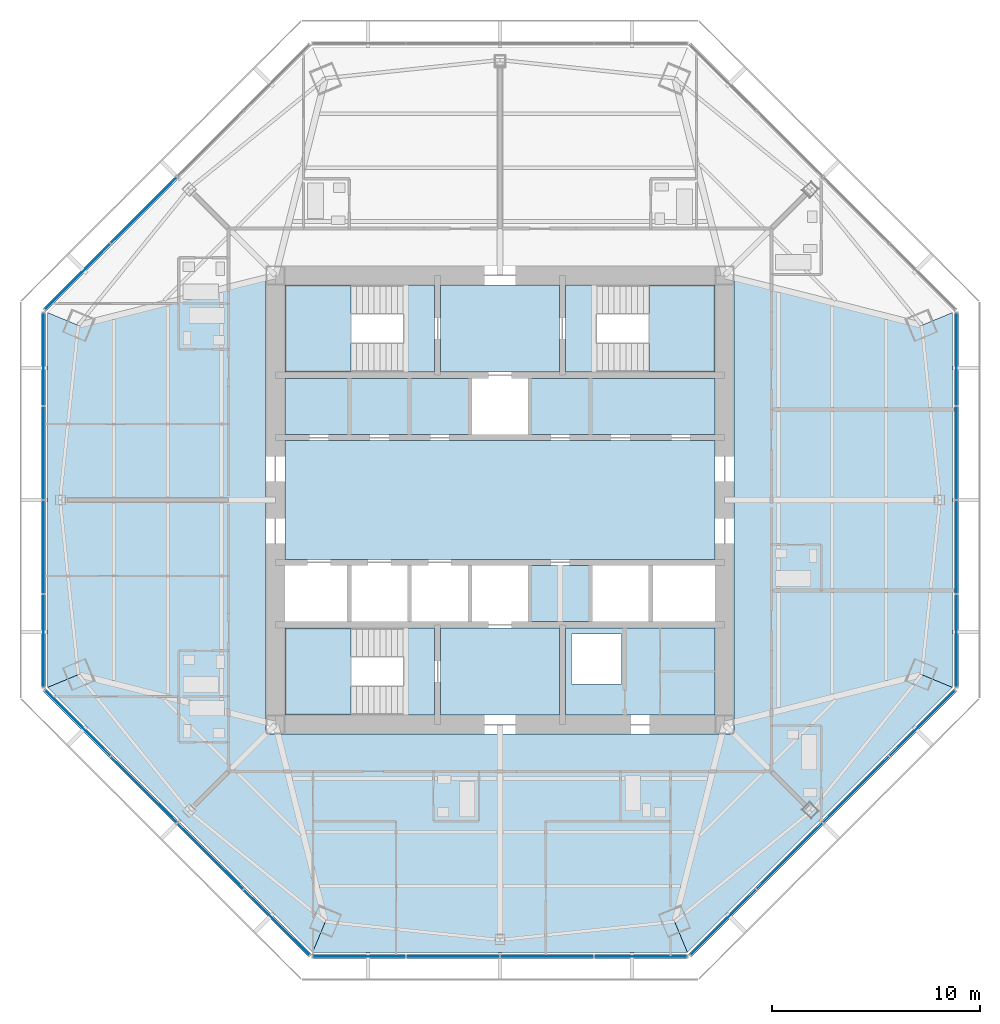
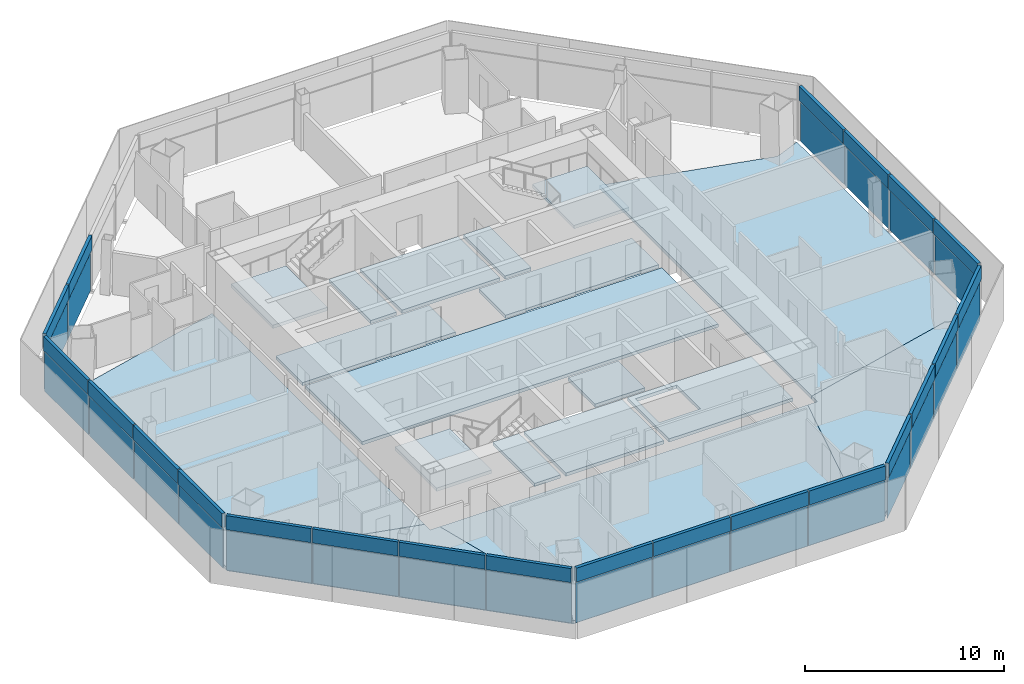
# One storey, part 7 of 15: 44 plates, 18 slabs, 9 elements without a shape of their own.
"""IFC4 building model written with IfcOpenShell, lengths in metres."""

from ifc_helpers import new_model, si_unit, direction, frame, origin, origin_2d, place, context, subcontext, project, spatial, polyline, rectangle, outline, extrude, source, transform, mapped, material, layer, layer_set, type_object, type_shapes, element, aggregate, save


model = new_model("IFC4")

# Units and contexts
model_context = context("Model", 3, precision=1e-05, world=origin(), true_north=direction((0.0, 1.0)))
body_context = subcontext(model_context, "Body", "Model", "MODEL_VIEW")
ifc_project = project(units=[si_unit("LENGTHUNIT", "METRE"), si_unit("AREAUNIT", "SQUARE_METRE"), si_unit("VOLUMEUNIT", "CUBIC_METRE"), si_unit("PLANEANGLEUNIT", "RADIAN"), si_unit("MASSUNIT", "GRAM", prefix="KILO")], contexts=[model_context])

# Site, building, storey
site_placement = place(None, origin())
site = spatial("IfcSite", under=ifc_project, at=site_placement, CompositionType="ELEMENT")
building_placement = place(site_placement, origin())
building = spatial("IfcBuilding", under=site, at=building_placement, Name="Mashrafa Tower", CompositionType="ELEMENT")
storey_placement = place(building_placement, frame((0.0, 0.0, 214.199951171875)))
storey = spatial("IfcBuildingStorey", under=building, at=storey_placement, Name="L49", CompositionType="ELEMENT", Elevation=214.199951171875)

# Slabs
ifc_material_1 = material(Name="Concrete C35/45", Category="concrete")
ifc_layer_1 = layer(ifc_material_1, 0.199951171875)
ifc_layer_set_1 = layer_set([ifc_layer_1], Name="Floor slab 200")
slab_type_1 = type_object("IfcSlabType", Name="Floor slab 200", PredefinedType="FLOOR", material=ifc_layer_set_1)
slab_1_placement = place(storey_placement, frame((0.0, 0.0, -0.199951171875)))
element("IfcSlab", 1, at=slab_1_placement, inside=storey, type_object=slab_type_1, Name="Floor slab L49 east bay", PredefinedType="FLOOR", context=body_context, shape_type="SweptSolid", body=[
    extrude(outline(polyline([(21.75537109375, -9.01123046875), (20.28271484375, -8.4013671875), (11.25, -10.686279296875), (11.25, 10.686279296875), (20.28271484375, 8.4013671875), (21.75537109375, 9.01123046875), (21.75537109375, -9.01123046875)])), origin(), (0.0, 0.0, 1.0), 0.199951171875),
])
slab_2_placement = place(storey_placement, frame((0.0, 0.0, -0.199951171875)))
element("IfcSlab", 2, at=slab_2_placement, inside=storey, type_object=slab_type_1, Name="Floor slab L49 west bay", PredefinedType="FLOOR", context=body_context, shape_type="SweptSolid", body=[
    extrude(outline(polyline([(-21.75537109375, 9.01123046875), (-20.28271484375, 8.4013671875), (-11.25, 10.686279296875), (-11.25, -10.686279296875), (-20.28271484375, -8.4013671875), (-21.75537109375, -9.01123046875), (-21.75537109375, 9.01123046875)])), origin(), (0.0, 0.0, 1.0), 0.199951171875),
])
slab_3_placement = place(storey_placement, frame((0.0, 0.0, -0.199951171875)))
element("IfcSlab", 3, at=slab_3_placement, inside=storey, type_object=slab_type_1, Name="Floor slab L49 south-west bay", PredefinedType="FLOOR", context=body_context, shape_type="SweptSolid", body=[
    extrude(outline(polyline([(-9.01123046875, -21.75537109375), (-21.75537109375, -9.01123046875), (-21.75537109375, -9.01123046875), (-20.28271484375, -8.4013671875), (-11.25, -10.686279296875), (-11.25, -11.25), (-10.686279296875, -11.25), (-8.4013671875, -20.28271484375), (-9.01123046875, -21.75537109375), (-9.01123046875, -21.75537109375)])), origin(), (0.0, 0.0, 1.0), 0.199951171875),
])
slab_4_placement = place(storey_placement, frame((0.0, 0.0, -0.199951171875)))
element("IfcSlab", 4, at=slab_4_placement, inside=storey, type_object=slab_type_1, Name="Floor slab L49 south bay", PredefinedType="FLOOR", context=body_context, shape_type="SweptSolid", body=[
    extrude(outline(polyline([(-9.01123046875, -21.75537109375), (-8.4013671875, -20.28271484375), (-10.686279296875, -11.25), (10.686279296875, -11.25), (8.4013671875, -20.28271484375), (9.01123046875, -21.75537109375), (-9.01123046875, -21.75537109375)])), origin(), (0.0, 0.0, 1.0), 0.199951171875),
])
slab_5_placement = place(storey_placement, frame((0.0, 0.0, -0.199951171875)))
element("IfcSlab", 5, at=slab_5_placement, inside=storey, type_object=slab_type_1, Name="Floor slab L49 south-east bay", PredefinedType="FLOOR", context=body_context, shape_type="SweptSolid", body=[
    extrude(outline(polyline([(9.01123046875, -21.75537109375), (8.4013671875, -20.28271484375), (10.686279296875, -11.25), (11.25, -11.25), (11.25, -10.686279296875), (20.28271484375, -8.4013671875), (21.75537109375, -9.01123046875), (21.75537109375, -9.01123046875), (9.01123046875, -21.75537109375), (9.01123046875, -21.75537109375)])), origin(), (0.0, 0.0, 1.0), 0.199951171875),
])
slab_6_placement = place(storey_placement, frame((0.0, 0.0, -0.199951171875)))
element("IfcSlab", 6, at=slab_6_placement, inside=storey, type_object=slab_type_1, Name="Core floor lift hall L49", PredefinedType="FLOOR", context=body_context, shape_type="SweptSolid", body=[
    extrude(outline(polyline([(-10.35009765625, 2.85009765625), (10.35009765625, 2.85009765625), (10.35009765625, -2.85009765625), (-10.35009765625, -2.85009765625), (-10.35009765625, 2.85009765625)])), origin(), (0.0, 0.0, 1.0), 0.199951171875),
])
slab_7_placement = place(storey_placement, frame((0.0, 0.0, -0.199951171875)))
element("IfcSlab", 7, at=slab_7_placement, inside=storey, type_object=slab_type_1, Name="Core floor riser and electrical band L49", PredefinedType="FLOOR", context=body_context, shape_type="SweptSolid", body=[
    extrude(outline(polyline([(10.35009765625, -6.14990234375), (10.35009765625, -10.35009765625), (3.14990234375, -10.35009765625), (3.14990234375, -6.14990234375), (10.35009765625, -6.14990234375)]), holes=[polyline([(3.449951171875, -8.85009765625), (5.85009765625, -8.85009765625), (5.85009765625, -6.449951171875), (3.449951171875, -6.449951171875), (3.449951171875, -8.85009765625)])]), origin(), (0.0, 0.0, 1.0), 0.199951171875),
])
slab_8_placement = place(storey_placement, frame((0.0, 0.0, -0.199951171875)))
element("IfcSlab", 8, at=slab_8_placement, inside=storey, type_object=slab_type_1, Name="Core floor lift cell L49", PredefinedType="FLOOR", context=body_context, shape_type="SweptSolid", body=[
    extrude(outline(polyline([(-10.35009765625, 5.85009765625), (-1.449951171875, 5.85009765625), (-1.449951171875, 3.14990234375), (-10.35009765625, 3.14990234375), (-10.35009765625, 5.85009765625)])), origin(), (0.0, 0.0, 1.0), 0.199951171875),
])
slab_9_placement = place(storey_placement, frame((0.0, 0.0, -0.199951171875)))
element("IfcSlab", 9, at=slab_9_placement, inside=storey, type_object=slab_type_1, Name="Core floor lift cell L49", PredefinedType="FLOOR", context=body_context, shape_type="SweptSolid", body=[
    extrude(outline(polyline([(1.449951171875, 5.85009765625), (10.35009765625, 5.85009765625), (10.35009765625, 3.14990234375), (1.449951171875, 3.14990234375), (1.449951171875, 5.85009765625)])), origin(), (0.0, 0.0, 1.0), 0.199951171875),
])
slab_10_placement = place(storey_placement, frame((0.0, 0.0, -0.199951171875)))
element("IfcSlab", 10, at=slab_10_placement, inside=storey, type_object=slab_type_1, Name="Core floor fire-fighting lobby south L49", PredefinedType="FLOOR", context=body_context, shape_type="SweptSolid", body=[
    extrude(outline(polyline([(2.85009765625, -6.14990234375), (2.85009765625, -10.35009765625), (-2.85009765625, -10.35009765625), (-2.85009765625, -6.14990234375), (2.85009765625, -6.14990234375)])), origin(), (0.0, 0.0, 1.0), 0.199951171875),
])
slab_11_placement = place(storey_placement, frame((0.0, 0.0, -0.199951171875)))
element("IfcSlab", 11, at=slab_11_placement, inside=storey, type_object=slab_type_1, Name="Core floor fire-fighting lobby north L49", PredefinedType="FLOOR", context=body_context, shape_type="SweptSolid", body=[
    extrude(outline(polyline([(-2.85009765625, 10.35009765625), (2.85009765625, 10.35009765625), (2.85009765625, 6.14990234375), (-2.85009765625, 6.14990234375), (-2.85009765625, 10.35009765625)])), origin(), (0.0, 0.0, 1.0), 0.199951171875),
])
slab_12_placement = place(storey_placement, frame((0.0, 0.0, -0.199951171875)))
element("IfcSlab", 12, at=slab_12_placement, inside=storey, type_object=slab_type_1, Name="Core floor lift cell L49", PredefinedType="FLOOR", context=body_context, shape_type="SweptSolid", body=[
    extrude(outline(polyline([(4.35009765625, -3.14990234375), (4.35009765625, -5.85009765625), (1.449951171875, -5.85009765625), (1.449951171875, -3.14990234375), (4.35009765625, -3.14990234375)])), origin(), (0.0, 0.0, 1.0), 0.199951171875),
])

# Stair, slabs
ifc_material_2 = material(Name="Exit stair 1400")
stair_type = type_object("IfcStairType", Name="Exit stair 1400", PredefinedType="HALF_TURN_STAIR", material=ifc_material_2)
stair_1_placement = place(storey_placement, origin())
stair_1 = element("IfcStair", 13, at=stair_1_placement, inside=storey, type_object=stair_type, Name="Stair S1 L49", PredefinedType="HALF_TURN_STAIR")
ifc_material_3 = material(Name="Concrete C32/40", Category="concrete")
ifc_layer_2 = layer(ifc_material_3, 0.199951171875)
ifc_layer_set_2 = layer_set([ifc_layer_2], Name="Stair landing 200")
slab_type_2 = type_object("IfcSlabType", Name="Stair landing 200", PredefinedType="LANDING", material=ifc_layer_set_2)
slab_13_placement = place(storey_placement, frame((0.0, 0.0, -0.199951171875)))
slab_13 = element("IfcSlab", 14, at=slab_13_placement, type_object=slab_type_2, Name="S1 landing 1", PredefinedType="LANDING", context=body_context, shape_type="SweptSolid", body=[
    extrude(outline(polyline([(-4.659912109375, 6.14990234375), (-3.14990234375, 6.14990234375), (-3.14990234375, 10.35009765625), (-4.659912109375, 10.35009765625), (-4.659912109375, 6.14990234375)])), origin(), (0.0, 0.0, 1.0), 0.199951171875),
])
slab_14_placement = place(storey_placement, frame((0.0, 0.0, 1.5)))
slab_14 = element("IfcSlab", 15, at=slab_14_placement, type_object=slab_type_2, Name="S1 landing 2", PredefinedType="LANDING", context=body_context, shape_type="SweptSolid", body=[
    extrude(outline(polyline([(-10.35009765625, 6.14990234375), (-7.159912109375, 6.14990234375), (-7.159912109375, 10.35009765625), (-10.35009765625, 10.35009765625), (-10.35009765625, 6.14990234375)])), origin(), (0.0, 0.0, 1.0), 0.199951171875),
])
aggregate(stair_1, [slab_13, slab_14])

stair_2_placement = place(storey_placement, origin())
stair_2 = element("IfcStair", 16, at=stair_2_placement, inside=storey, type_object=stair_type, Name="Stair S2 L49", PredefinedType="HALF_TURN_STAIR")
slab_15_placement = place(storey_placement, frame((0.0, 0.0, -0.199951171875)))
slab_15 = element("IfcSlab", 17, at=slab_15_placement, type_object=slab_type_2, Name="S2 landing 1", PredefinedType="LANDING", context=body_context, shape_type="SweptSolid", body=[
    extrude(outline(polyline([(3.14990234375, 6.14990234375), (4.659912109375, 6.14990234375), (4.659912109375, 10.35009765625), (3.14990234375, 10.35009765625), (3.14990234375, 6.14990234375)])), origin(), (0.0, 0.0, 1.0), 0.199951171875),
])
slab_16_placement = place(storey_placement, frame((0.0, 0.0, 1.5)))
slab_16 = element("IfcSlab", 18, at=slab_16_placement, type_object=slab_type_2, Name="S2 landing 2", PredefinedType="LANDING", context=body_context, shape_type="SweptSolid", body=[
    extrude(outline(polyline([(7.159912109375, 6.14990234375), (10.35009765625, 6.14990234375), (10.35009765625, 10.35009765625), (7.159912109375, 10.35009765625), (7.159912109375, 6.14990234375)])), origin(), (0.0, 0.0, 1.0), 0.199951171875),
])
aggregate(stair_2, [slab_15, slab_16])

stair_3_placement = place(storey_placement, origin())
stair_3 = element("IfcStair", 19, at=stair_3_placement, inside=storey, type_object=stair_type, Name="Stair S3 L49", PredefinedType="HALF_TURN_STAIR")
slab_17_placement = place(storey_placement, frame((0.0, 0.0, -0.199951171875)))
slab_17 = element("IfcSlab", 20, at=slab_17_placement, type_object=slab_type_2, Name="S3 landing 1", PredefinedType="LANDING", context=body_context, shape_type="SweptSolid", body=[
    extrude(outline(polyline([(-4.659912109375, -10.35009765625), (-3.14990234375, -10.35009765625), (-3.14990234375, -6.14990234375), (-4.659912109375, -6.14990234375), (-4.659912109375, -10.35009765625)])), origin(), (0.0, 0.0, 1.0), 0.199951171875),
])
slab_18_placement = place(storey_placement, frame((0.0, 0.0, 1.5)))
slab_18 = element("IfcSlab", 21, at=slab_18_placement, type_object=slab_type_2, Name="S3 landing 2", PredefinedType="LANDING", context=body_context, shape_type="SweptSolid", body=[
    extrude(outline(polyline([(-10.35009765625, -10.35009765625), (-7.159912109375, -10.35009765625), (-7.159912109375, -6.14990234375), (-10.35009765625, -6.14990234375), (-10.35009765625, -10.35009765625)])), origin(), (0.0, 0.0, 1.0), 0.199951171875),
])
aggregate(stair_3, [slab_17, slab_18])

# Curtain wall, plates
ifc_material_4 = material(Name="Unitised aluminium curtain wall", Category="aluminium")
curtain_wall_type = type_object("IfcCurtainWallType", Name="Apartment curtain wall, zone 3 CW-C 180 deep", PredefinedType="NOTDEFINED", material=ifc_material_4)
curtain_wall_1_placement = place(storey_placement, origin())
curtain_wall_1 = element("IfcCurtainWall", 22, at=curtain_wall_1_placement, inside=storey, type_object=curtain_wall_type, Name="Apartment curtain wall, zone 3 L49 east", PredefinedType="NOTDEFINED")
ifc_material_5 = material(Name="Insulated double glazing, acoustic", Category="glass")
ifc_layer_3 = layer(ifc_material_5, 0.028076171875)
ifc_layer_set_3 = layer_set([ifc_layer_3], Name="Vision panel CW-C 28")
plate_type_1 = type_object("IfcPlateType", Name="Vision panel CW-C 28", PredefinedType="CURTAIN_PANEL", material=ifc_layer_set_3)
shared_shape_1 = source(origin(), body_context, "Body", "SweptSolid", [
    extrude(rectangle(XDim=4.433349609375, YDim=0.028076171875, at=origin_2d()), origin(), (0.0, 0.0, 1.0), 2.46240234375),
])
plate_1_placement = place(storey_placement, frame((21.955322265625, -6.770263671875, 0.0), z_axis=(0.0, 0.0, 1.0), x_axis=(0.0, 1.0, 0.0)))
plate_1 = element("IfcPlate", 23, at=plate_1_placement, type_object=plate_type_1, Name="CW-C vision panel 1", PredefinedType="CURTAIN_PANEL", context=body_context, shape_type="MappedRepresentation", body=[
    mapped(shared_shape_1, transform((0.0, 0.0, 0.0))),
])
plate_2_placement = place(storey_placement, frame((21.955322265625, 6.770263671875, 0.0), z_axis=(0.0, 0.0, 1.0), x_axis=(0.0, 1.0, 0.0)))
plate_2 = element("IfcPlate", 24, at=plate_2_placement, type_object=plate_type_1, Name="CW-C vision panel 4", PredefinedType="CURTAIN_PANEL", context=body_context, shape_type="MappedRepresentation", body=[
    mapped(shared_shape_1, transform((0.0, 0.0, 0.0))),
])

# Curtain wall, plate
curtain_wall_2_placement = place(storey_placement, origin())
curtain_wall_2 = element("IfcCurtainWall", 25, at=curtain_wall_2_placement, inside=storey, type_object=curtain_wall_type, Name="Apartment curtain wall, zone 3 L49 north-west", PredefinedType="NOTDEFINED")
plate_3_placement = place(storey_placement, frame((-20.31201171875, 10.737548828125, 0.0), z_axis=(0.0, 0.0, 1.0), x_axis=(-0.707106781187, -0.707106781187, 0.0)))
plate_3 = element("IfcPlate", 26, at=plate_3_placement, type_object=plate_type_1, Name="CW-C vision panel 4", PredefinedType="CURTAIN_PANEL", context=body_context, shape_type="MappedRepresentation", body=[
    mapped(shared_shape_1, transform((0.0, 0.0, 0.0))),
])

# Curtain wall, plates
curtain_wall_3_placement = place(storey_placement, origin())
curtain_wall_3 = element("IfcCurtainWall", 27, at=curtain_wall_3_placement, inside=storey, type_object=curtain_wall_type, Name="Apartment curtain wall, zone 3 L49 west", PredefinedType="NOTDEFINED")
plate_4_placement = place(storey_placement, frame((-21.955322265625, 6.770263671875, 0.0), z_axis=(0.0, 0.0, 1.0), x_axis=(0.0, -1.0, 0.0)))
plate_4 = element("IfcPlate", 28, at=plate_4_placement, type_object=plate_type_1, Name="CW-C vision panel 1", PredefinedType="CURTAIN_PANEL", context=body_context, shape_type="MappedRepresentation", body=[
    mapped(shared_shape_1, transform((0.0, 0.0, 0.0))),
])
plate_5_placement = place(storey_placement, frame((-21.955322265625, -6.770263671875, 0.0), z_axis=(0.0, 0.0, 1.0), x_axis=(0.0, -1.0, 0.0)))
plate_5 = element("IfcPlate", 29, at=plate_5_placement, type_object=plate_type_1, Name="CW-C vision panel 4", PredefinedType="CURTAIN_PANEL", context=body_context, shape_type="MappedRepresentation", body=[
    mapped(shared_shape_1, transform((0.0, 0.0, 0.0))),
])

curtain_wall_4_placement = place(storey_placement, origin())
curtain_wall_4 = element("IfcCurtainWall", 30, at=curtain_wall_4_placement, inside=storey, type_object=curtain_wall_type, Name="Apartment curtain wall, zone 3 L49 south-west", PredefinedType="NOTDEFINED")
plate_6_placement = place(storey_placement, frame((-20.31201171875, -10.737548828125, 0.0), z_axis=(0.0, 0.0, 1.0), x_axis=(0.707106781187, -0.707106781187, 0.0)))
plate_6 = element("IfcPlate", 31, at=plate_6_placement, type_object=plate_type_1, Name="CW-C vision panel 1", PredefinedType="CURTAIN_PANEL", context=body_context, shape_type="MappedRepresentation", body=[
    mapped(shared_shape_1, transform((0.0, 0.0, 0.0))),
])
plate_7_placement = place(storey_placement, frame((-10.737548828125, -20.31201171875, 0.0), z_axis=(0.0, 0.0, 1.0), x_axis=(0.707106781187, -0.707106781187, 0.0)))
plate_7 = element("IfcPlate", 32, at=plate_7_placement, type_object=plate_type_1, Name="CW-C vision panel 4", PredefinedType="CURTAIN_PANEL", context=body_context, shape_type="MappedRepresentation", body=[
    mapped(shared_shape_1, transform((0.0, 0.0, 0.0))),
])

curtain_wall_5_placement = place(storey_placement, origin())
curtain_wall_5 = element("IfcCurtainWall", 33, at=curtain_wall_5_placement, inside=storey, type_object=curtain_wall_type, Name="Apartment curtain wall, zone 3 L49 south", PredefinedType="NOTDEFINED")
plate_8_placement = place(storey_placement, frame((-6.770263671875, -21.955322265625, 0.0), z_axis=(0.0, 0.0, 1.0), x_axis=(1.0, 0.0, 0.0)))
plate_8 = element("IfcPlate", 34, at=plate_8_placement, type_object=plate_type_1, Name="CW-C vision panel 1", PredefinedType="CURTAIN_PANEL", context=body_context, shape_type="MappedRepresentation", body=[
    mapped(shared_shape_1, transform((0.0, 0.0, 0.0))),
])
plate_9_placement = place(storey_placement, frame((6.770263671875, -21.955322265625, 0.0), z_axis=(0.0, 0.0, 1.0), x_axis=(1.0, 0.0, 0.0)))
plate_9 = element("IfcPlate", 35, at=plate_9_placement, type_object=plate_type_1, Name="CW-C vision panel 4", PredefinedType="CURTAIN_PANEL", context=body_context, shape_type="MappedRepresentation", body=[
    mapped(shared_shape_1, transform((0.0, 0.0, 0.0))),
])

curtain_wall_6_placement = place(storey_placement, origin())
curtain_wall_6 = element("IfcCurtainWall", 36, at=curtain_wall_6_placement, inside=storey, type_object=curtain_wall_type, Name="Apartment curtain wall, zone 3 L49 south-east", PredefinedType="NOTDEFINED")
plate_10_placement = place(storey_placement, frame((10.737548828125, -20.31201171875, 0.0), z_axis=(0.0, 0.0, 1.0), x_axis=(0.707106781187, 0.707106781187, 0.0)))
plate_10 = element("IfcPlate", 37, at=plate_10_placement, type_object=plate_type_1, Name="CW-C vision panel 1", PredefinedType="CURTAIN_PANEL", context=body_context, shape_type="MappedRepresentation", body=[
    mapped(shared_shape_1, transform((0.0, 0.0, 0.0))),
])
plate_11_placement = place(storey_placement, frame((20.31201171875, -10.737548828125, 0.0), z_axis=(0.0, 0.0, 1.0), x_axis=(0.707106781187, 0.707106781187, 0.0)))
plate_11 = element("IfcPlate", 38, at=plate_11_placement, type_object=plate_type_1, Name="CW-C vision panel 4", PredefinedType="CURTAIN_PANEL", context=body_context, shape_type="MappedRepresentation", body=[
    mapped(shared_shape_1, transform((0.0, 0.0, 0.0))),
])

# Plate
ifc_material_6 = material(Name="Insulated bronze aluminium spandrel panel", Category="aluminium")
ifc_layer_4 = layer(ifc_material_6, 0.179931640625)
ifc_layer_set_4 = layer_set([ifc_layer_4], Name="Spandrel panel CW-C 180")
plate_type_2 = type_object("IfcPlateType", Name="Spandrel panel CW-C 180", PredefinedType="CURTAIN_PANEL", material=ifc_layer_set_4)
shared_shape_2 = source(origin(), body_context, "Body", "SweptSolid", [
    extrude(rectangle(XDim=4.433349609375, YDim=0.179931640625, at=origin_2d()), origin(), (0.0, 0.0, 1.0), 0.862548828125),
])
plate_12_placement = place(storey_placement, frame((21.955322265625, -6.770263671875, 2.53759765625), z_axis=(0.0, 0.0, 1.0), x_axis=(0.0, 1.0, 0.0)))
plate_12 = element("IfcPlate", 39, at=plate_12_placement, type_object=plate_type_2, Name="CW-C spandrel panel 1", PredefinedType="CURTAIN_PANEL", context=body_context, shape_type="MappedRepresentation", body=[
    mapped(shared_shape_2, transform((0.0, 0.0, 0.0))),
])

plate_13_placement = place(storey_placement, frame((21.955322265625, 6.770263671875, 2.53759765625), z_axis=(0.0, 0.0, 1.0), x_axis=(0.0, 1.0, 0.0)))
plate_13 = element("IfcPlate", 40, at=plate_13_placement, type_object=plate_type_2, Name="CW-C spandrel panel 4", PredefinedType="CURTAIN_PANEL", context=body_context, shape_type="MappedRepresentation", body=[
    mapped(shared_shape_2, transform((0.0, 0.0, 0.0))),
])

plate_14_placement = place(storey_placement, frame((-20.31201171875, 10.737548828125, 2.53759765625), z_axis=(0.0, 0.0, 1.0), x_axis=(-0.707106781187, -0.707106781187, 0.0)))
plate_14 = element("IfcPlate", 41, at=plate_14_placement, type_object=plate_type_2, Name="CW-C spandrel panel 4", PredefinedType="CURTAIN_PANEL", context=body_context, shape_type="MappedRepresentation", body=[
    mapped(shared_shape_2, transform((0.0, 0.0, 0.0))),
])

plate_15_placement = place(storey_placement, frame((-21.955322265625, 6.770263671875, 2.53759765625), z_axis=(0.0, 0.0, 1.0), x_axis=(0.0, -1.0, 0.0)))
plate_15 = element("IfcPlate", 42, at=plate_15_placement, type_object=plate_type_2, Name="CW-C spandrel panel 1", PredefinedType="CURTAIN_PANEL", context=body_context, shape_type="MappedRepresentation", body=[
    mapped(shared_shape_2, transform((0.0, 0.0, 0.0))),
])

plate_16_placement = place(storey_placement, frame((-21.955322265625, -6.770263671875, 2.53759765625), z_axis=(0.0, 0.0, 1.0), x_axis=(0.0, -1.0, 0.0)))
plate_16 = element("IfcPlate", 43, at=plate_16_placement, type_object=plate_type_2, Name="CW-C spandrel panel 4", PredefinedType="CURTAIN_PANEL", context=body_context, shape_type="MappedRepresentation", body=[
    mapped(shared_shape_2, transform((0.0, 0.0, 0.0))),
])

plate_17_placement = place(storey_placement, frame((-20.31201171875, -10.737548828125, 2.53759765625), z_axis=(0.0, 0.0, 1.0), x_axis=(0.707106781187, -0.707106781187, 0.0)))
plate_17 = element("IfcPlate", 44, at=plate_17_placement, type_object=plate_type_2, Name="CW-C spandrel panel 1", PredefinedType="CURTAIN_PANEL", context=body_context, shape_type="MappedRepresentation", body=[
    mapped(shared_shape_2, transform((0.0, 0.0, 0.0))),
])

plate_18_placement = place(storey_placement, frame((-10.737548828125, -20.31201171875, 2.53759765625), z_axis=(0.0, 0.0, 1.0), x_axis=(0.707106781187, -0.707106781187, 0.0)))
plate_18 = element("IfcPlate", 45, at=plate_18_placement, type_object=plate_type_2, Name="CW-C spandrel panel 4", PredefinedType="CURTAIN_PANEL", context=body_context, shape_type="MappedRepresentation", body=[
    mapped(shared_shape_2, transform((0.0, 0.0, 0.0))),
])

plate_19_placement = place(storey_placement, frame((-6.770263671875, -21.955322265625, 2.53759765625), z_axis=(0.0, 0.0, 1.0), x_axis=(1.0, 0.0, 0.0)))
plate_19 = element("IfcPlate", 46, at=plate_19_placement, type_object=plate_type_2, Name="CW-C spandrel panel 1", PredefinedType="CURTAIN_PANEL", context=body_context, shape_type="MappedRepresentation", body=[
    mapped(shared_shape_2, transform((0.0, 0.0, 0.0))),
])

plate_20_placement = place(storey_placement, frame((6.770263671875, -21.955322265625, 2.53759765625), z_axis=(0.0, 0.0, 1.0), x_axis=(1.0, 0.0, 0.0)))
plate_20 = element("IfcPlate", 47, at=plate_20_placement, type_object=plate_type_2, Name="CW-C spandrel panel 4", PredefinedType="CURTAIN_PANEL", context=body_context, shape_type="MappedRepresentation", body=[
    mapped(shared_shape_2, transform((0.0, 0.0, 0.0))),
])

plate_21_placement = place(storey_placement, frame((10.737548828125, -20.31201171875, 2.53759765625), z_axis=(0.0, 0.0, 1.0), x_axis=(0.707106781187, 0.707106781187, 0.0)))
plate_21 = element("IfcPlate", 48, at=plate_21_placement, type_object=plate_type_2, Name="CW-C spandrel panel 1", PredefinedType="CURTAIN_PANEL", context=body_context, shape_type="MappedRepresentation", body=[
    mapped(shared_shape_2, transform((0.0, 0.0, 0.0))),
])

plate_22_placement = place(storey_placement, frame((20.31201171875, -10.737548828125, 2.53759765625), z_axis=(0.0, 0.0, 1.0), x_axis=(0.707106781187, 0.707106781187, 0.0)))
plate_22 = element("IfcPlate", 49, at=plate_22_placement, type_object=plate_type_2, Name="CW-C spandrel panel 4", PredefinedType="CURTAIN_PANEL", context=body_context, shape_type="MappedRepresentation", body=[
    mapped(shared_shape_2, transform((0.0, 0.0, 0.0))),
])

shared_shape_3 = source(origin(), body_context, "Body", "SweptSolid", [
    extrude(rectangle(XDim=4.46337890625, YDim=0.028076171875, at=origin_2d()), origin(), (0.0, 0.0, 1.0), 2.46240234375),
])
type_shapes(plate_type_1, [shared_shape_1, shared_shape_3])
plate_23_placement = place(storey_placement, frame((21.955322265625, -2.26171875, 0.0), z_axis=(0.0, 0.0, 1.0), x_axis=(0.0, 1.0, 0.0)))
plate_23 = element("IfcPlate", 50, at=plate_23_placement, type_object=plate_type_1, Name="CW-C vision panel 2", PredefinedType="CURTAIN_PANEL", context=body_context, shape_type="MappedRepresentation", body=[
    mapped(shared_shape_3, transform((0.0, 0.0, 0.0))),
])

plate_24_placement = place(storey_placement, frame((21.955322265625, 2.26171875, 0.0), z_axis=(0.0, 0.0, 1.0), x_axis=(0.0, 1.0, 0.0)))
plate_24 = element("IfcPlate", 51, at=plate_24_placement, type_object=plate_type_1, Name="CW-C vision panel 3", PredefinedType="CURTAIN_PANEL", context=body_context, shape_type="MappedRepresentation", body=[
    mapped(shared_shape_3, transform((0.0, 0.0, 0.0))),
])

plate_25_placement = place(storey_placement, frame((-17.1240234375, 13.925537109375, 0.0), z_axis=(0.0, 0.0, 1.0), x_axis=(-0.707106781187, -0.707106781187, 0.0)))
plate_25 = element("IfcPlate", 52, at=plate_25_placement, type_object=plate_type_1, Name="CW-C vision panel 3", PredefinedType="CURTAIN_PANEL", context=body_context, shape_type="MappedRepresentation", body=[
    mapped(shared_shape_3, transform((0.0, 0.0, 0.0))),
])

plate_26_placement = place(storey_placement, frame((-21.955322265625, 2.26171875, 0.0), z_axis=(0.0, 0.0, 1.0), x_axis=(0.0, -1.0, 0.0)))
plate_26 = element("IfcPlate", 53, at=plate_26_placement, type_object=plate_type_1, Name="CW-C vision panel 2", PredefinedType="CURTAIN_PANEL", context=body_context, shape_type="MappedRepresentation", body=[
    mapped(shared_shape_3, transform((0.0, 0.0, 0.0))),
])

plate_27_placement = place(storey_placement, frame((-21.955322265625, -2.26171875, 0.0), z_axis=(0.0, 0.0, 1.0), x_axis=(0.0, -1.0, 0.0)))
plate_27 = element("IfcPlate", 54, at=plate_27_placement, type_object=plate_type_1, Name="CW-C vision panel 3", PredefinedType="CURTAIN_PANEL", context=body_context, shape_type="MappedRepresentation", body=[
    mapped(shared_shape_3, transform((0.0, 0.0, 0.0))),
])

plate_28_placement = place(storey_placement, frame((-17.1240234375, -13.925537109375, 0.0), z_axis=(0.0, 0.0, 1.0), x_axis=(0.707106781187, -0.707106781187, 0.0)))
plate_28 = element("IfcPlate", 55, at=plate_28_placement, type_object=plate_type_1, Name="CW-C vision panel 2", PredefinedType="CURTAIN_PANEL", context=body_context, shape_type="MappedRepresentation", body=[
    mapped(shared_shape_3, transform((0.0, 0.0, 0.0))),
])

plate_29_placement = place(storey_placement, frame((-13.925537109375, -17.1240234375, 0.0), z_axis=(0.0, 0.0, 1.0), x_axis=(0.707106781187, -0.707106781187, 0.0)))
plate_29 = element("IfcPlate", 56, at=plate_29_placement, type_object=plate_type_1, Name="CW-C vision panel 3", PredefinedType="CURTAIN_PANEL", context=body_context, shape_type="MappedRepresentation", body=[
    mapped(shared_shape_3, transform((0.0, 0.0, 0.0))),
])

plate_30_placement = place(storey_placement, frame((-2.26171875, -21.955322265625, 0.0), z_axis=(0.0, 0.0, 1.0), x_axis=(1.0, 0.0, 0.0)))
plate_30 = element("IfcPlate", 57, at=plate_30_placement, type_object=plate_type_1, Name="CW-C vision panel 2", PredefinedType="CURTAIN_PANEL", context=body_context, shape_type="MappedRepresentation", body=[
    mapped(shared_shape_3, transform((0.0, 0.0, 0.0))),
])

plate_31_placement = place(storey_placement, frame((2.26171875, -21.955322265625, 0.0), z_axis=(0.0, 0.0, 1.0), x_axis=(1.0, 0.0, 0.0)))
plate_31 = element("IfcPlate", 58, at=plate_31_placement, type_object=plate_type_1, Name="CW-C vision panel 3", PredefinedType="CURTAIN_PANEL", context=body_context, shape_type="MappedRepresentation", body=[
    mapped(shared_shape_3, transform((0.0, 0.0, 0.0))),
])

plate_32_placement = place(storey_placement, frame((13.925537109375, -17.1240234375, 0.0), z_axis=(0.0, 0.0, 1.0), x_axis=(0.707106781187, 0.707106781187, 0.0)))
plate_32 = element("IfcPlate", 59, at=plate_32_placement, type_object=plate_type_1, Name="CW-C vision panel 2", PredefinedType="CURTAIN_PANEL", context=body_context, shape_type="MappedRepresentation", body=[
    mapped(shared_shape_3, transform((0.0, 0.0, 0.0))),
])

plate_33_placement = place(storey_placement, frame((17.1240234375, -13.925537109375, 0.0), z_axis=(0.0, 0.0, 1.0), x_axis=(0.707106781187, 0.707106781187, 0.0)))
plate_33 = element("IfcPlate", 60, at=plate_33_placement, type_object=plate_type_1, Name="CW-C vision panel 3", PredefinedType="CURTAIN_PANEL", context=body_context, shape_type="MappedRepresentation", body=[
    mapped(shared_shape_3, transform((0.0, 0.0, 0.0))),
])

shared_shape_4 = source(origin(), body_context, "Body", "SweptSolid", [
    extrude(rectangle(XDim=4.46337890625, YDim=0.179931640625, at=origin_2d()), origin(), (0.0, 0.0, 1.0), 0.862548828125),
])
type_shapes(plate_type_2, [shared_shape_2, shared_shape_4])
plate_34_placement = place(storey_placement, frame((21.955322265625, -2.26171875, 2.53759765625), z_axis=(0.0, 0.0, 1.0), x_axis=(0.0, 1.0, 0.0)))
plate_34 = element("IfcPlate", 61, at=plate_34_placement, type_object=plate_type_2, Name="CW-C spandrel panel 2", PredefinedType="CURTAIN_PANEL", context=body_context, shape_type="MappedRepresentation", body=[
    mapped(shared_shape_4, transform((0.0, 0.0, 0.0))),
])

plate_35_placement = place(storey_placement, frame((21.955322265625, 2.26171875, 2.53759765625), z_axis=(0.0, 0.0, 1.0), x_axis=(0.0, 1.0, 0.0)))
plate_35 = element("IfcPlate", 62, at=plate_35_placement, type_object=plate_type_2, Name="CW-C spandrel panel 3", PredefinedType="CURTAIN_PANEL", context=body_context, shape_type="MappedRepresentation", body=[
    mapped(shared_shape_4, transform((0.0, 0.0, 0.0))),
])

aggregate(curtain_wall_1, [plate_1, plate_12, plate_23, plate_34, plate_24, plate_35, plate_2, plate_13])

plate_36_placement = place(storey_placement, frame((-17.1240234375, 13.925537109375, 2.53759765625), z_axis=(0.0, 0.0, 1.0), x_axis=(-0.707106781187, -0.707106781187, 0.0)))
plate_36 = element("IfcPlate", 63, at=plate_36_placement, type_object=plate_type_2, Name="CW-C spandrel panel 3", PredefinedType="CURTAIN_PANEL", context=body_context, shape_type="MappedRepresentation", body=[
    mapped(shared_shape_4, transform((0.0, 0.0, 0.0))),
])

aggregate(curtain_wall_2, [plate_25, plate_36, plate_3, plate_14])

plate_37_placement = place(storey_placement, frame((-21.955322265625, 2.26171875, 2.53759765625), z_axis=(0.0, 0.0, 1.0), x_axis=(0.0, -1.0, 0.0)))
plate_37 = element("IfcPlate", 64, at=plate_37_placement, type_object=plate_type_2, Name="CW-C spandrel panel 2", PredefinedType="CURTAIN_PANEL", context=body_context, shape_type="MappedRepresentation", body=[
    mapped(shared_shape_4, transform((0.0, 0.0, 0.0))),
])

plate_38_placement = place(storey_placement, frame((-21.955322265625, -2.26171875, 2.53759765625), z_axis=(0.0, 0.0, 1.0), x_axis=(0.0, -1.0, 0.0)))
plate_38 = element("IfcPlate", 65, at=plate_38_placement, type_object=plate_type_2, Name="CW-C spandrel panel 3", PredefinedType="CURTAIN_PANEL", context=body_context, shape_type="MappedRepresentation", body=[
    mapped(shared_shape_4, transform((0.0, 0.0, 0.0))),
])

aggregate(curtain_wall_3, [plate_4, plate_15, plate_26, plate_37, plate_27, plate_38, plate_5, plate_16])

plate_39_placement = place(storey_placement, frame((-17.1240234375, -13.925537109375, 2.53759765625), z_axis=(0.0, 0.0, 1.0), x_axis=(0.707106781187, -0.707106781187, 0.0)))
plate_39 = element("IfcPlate", 66, at=plate_39_placement, type_object=plate_type_2, Name="CW-C spandrel panel 2", PredefinedType="CURTAIN_PANEL", context=body_context, shape_type="MappedRepresentation", body=[
    mapped(shared_shape_4, transform((0.0, 0.0, 0.0))),
])

plate_40_placement = place(storey_placement, frame((-13.925537109375, -17.1240234375, 2.53759765625), z_axis=(0.0, 0.0, 1.0), x_axis=(0.707106781187, -0.707106781187, 0.0)))
plate_40 = element("IfcPlate", 67, at=plate_40_placement, type_object=plate_type_2, Name="CW-C spandrel panel 3", PredefinedType="CURTAIN_PANEL", context=body_context, shape_type="MappedRepresentation", body=[
    mapped(shared_shape_4, transform((0.0, 0.0, 0.0))),
])

aggregate(curtain_wall_4, [plate_6, plate_17, plate_28, plate_39, plate_29, plate_40, plate_7, plate_18])

plate_41_placement = place(storey_placement, frame((-2.26171875, -21.955322265625, 2.53759765625), z_axis=(0.0, 0.0, 1.0), x_axis=(1.0, 0.0, 0.0)))
plate_41 = element("IfcPlate", 68, at=plate_41_placement, type_object=plate_type_2, Name="CW-C spandrel panel 2", PredefinedType="CURTAIN_PANEL", context=body_context, shape_type="MappedRepresentation", body=[
    mapped(shared_shape_4, transform((0.0, 0.0, 0.0))),
])

plate_42_placement = place(storey_placement, frame((2.26171875, -21.955322265625, 2.53759765625), z_axis=(0.0, 0.0, 1.0), x_axis=(1.0, 0.0, 0.0)))
plate_42 = element("IfcPlate", 69, at=plate_42_placement, type_object=plate_type_2, Name="CW-C spandrel panel 3", PredefinedType="CURTAIN_PANEL", context=body_context, shape_type="MappedRepresentation", body=[
    mapped(shared_shape_4, transform((0.0, 0.0, 0.0))),
])

aggregate(curtain_wall_5, [plate_8, plate_19, plate_30, plate_41, plate_31, plate_42, plate_9, plate_20])

plate_43_placement = place(storey_placement, frame((13.925537109375, -17.1240234375, 2.53759765625), z_axis=(0.0, 0.0, 1.0), x_axis=(0.707106781187, 0.707106781187, 0.0)))
plate_43 = element("IfcPlate", 70, at=plate_43_placement, type_object=plate_type_2, Name="CW-C spandrel panel 2", PredefinedType="CURTAIN_PANEL", context=body_context, shape_type="MappedRepresentation", body=[
    mapped(shared_shape_4, transform((0.0, 0.0, 0.0))),
])

plate_44_placement = place(storey_placement, frame((17.1240234375, -13.925537109375, 2.53759765625), z_axis=(0.0, 0.0, 1.0), x_axis=(0.707106781187, 0.707106781187, 0.0)))
plate_44 = element("IfcPlate", 71, at=plate_44_placement, type_object=plate_type_2, Name="CW-C spandrel panel 3", PredefinedType="CURTAIN_PANEL", context=body_context, shape_type="MappedRepresentation", body=[
    mapped(shared_shape_4, transform((0.0, 0.0, 0.0))),
])

aggregate(curtain_wall_6, [plate_10, plate_21, plate_32, plate_43, plate_33, plate_44, plate_11, plate_22])

save(model, "model.ifc")
